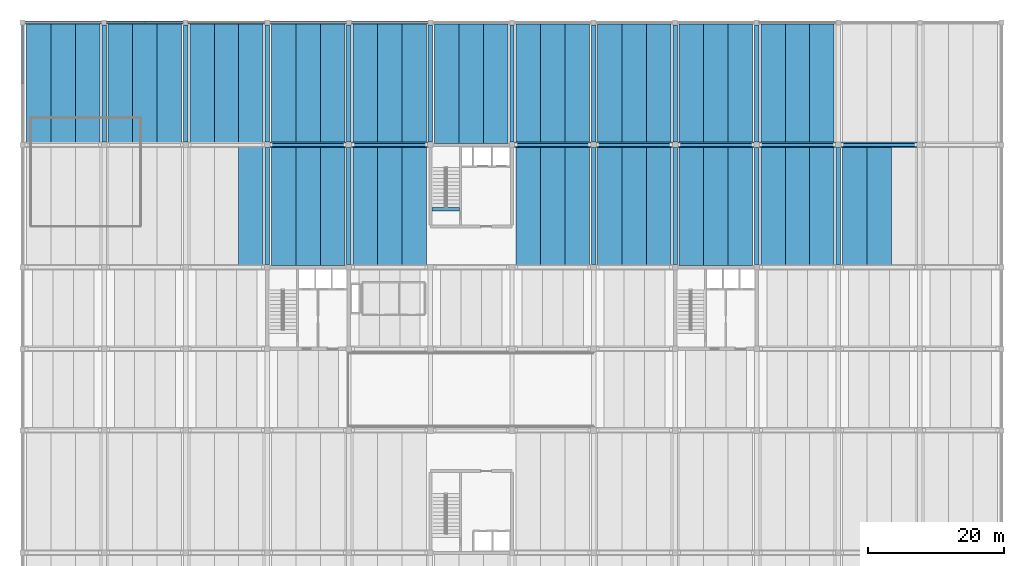
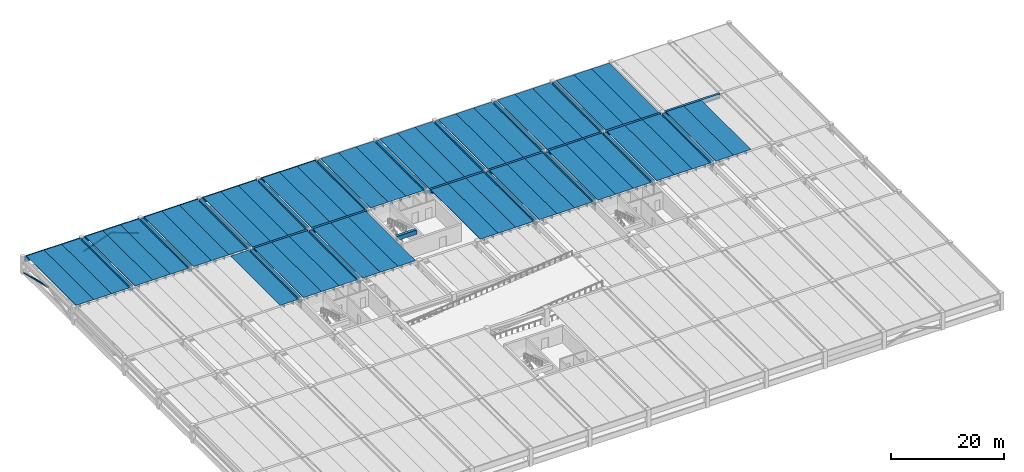
# One storey, part 4 of 14: 79 beams, 3 members.
"""IFC4 building model written with IfcOpenShell, lengths in metres."""

from ifc_helpers import new_model, si_unit, direction, frame, origin, origin_2d, place, context, subcontext, project, spatial, polyline, rectangle, hollow_rectangle, outline, extrude, material, material_profile, profile_set, type_object, element, save


model = new_model("IFC4")

# Units and contexts
model_context = context("Model", 3, precision=1e-05, world=origin(), true_north=direction((0.0, 1.0)))
body_context = subcontext(model_context, "Body", "Model", "MODEL_VIEW")
ifc_project = project(units=[si_unit("LENGTHUNIT", "METRE"), si_unit("AREAUNIT", "SQUARE_METRE"), si_unit("VOLUMEUNIT", "CUBIC_METRE"), si_unit("PLANEANGLEUNIT", "RADIAN"), si_unit("MASSUNIT", "GRAM", prefix="KILO")], contexts=[model_context])

# Site, building, storey
site_placement = place(None, origin())
site = spatial("IfcSite", under=ifc_project, at=site_placement, CompositionType="ELEMENT")
building_placement = place(site_placement, origin())
building = spatial("IfcBuilding", under=site, at=building_placement, Name="Girod Span Mobility Hub", CompositionType="ELEMENT")
storey_placement = place(building_placement, frame((0.0, 0.0, 24.800048828125)))
storey = spatial("IfcBuildingStorey", under=building, at=storey_placement, Name="L06", CompositionType="ELEMENT", Elevation=24.800048828125)

# Beams
ifc_material_1 = material(Name="Concrete C50/60", Category="concrete")
ifc_material_profile_1 = material_profile(ifc_material_1, outline(polyline([(-1.800048828125, 0.425048828125), (-1.800048828125, 0.324951171875), (-1.0, 0.324951171875), (-0.969970703125, -0.425048828125), (-0.830078125, -0.425048828125), (-0.800048828125, 0.324951171875), (0.800048828125, 0.324951171875), (0.830078125, -0.425048828125), (0.969970703125, -0.425048828125), (1.0, 0.324951171875), (1.800048828125, 0.324951171875), (1.800048828125, 0.425048828125), (-1.800048828125, 0.425048828125)])), Name="DT-3600X850")
ifc_profile_set_1 = profile_set([ifc_material_profile_1], Name="Concrete C50/60")
beam_type_1 = type_object("IfcBeamType", Name="BM-DT-3600X850", PredefinedType="JOIST", material=ifc_profile_set_1)
for number, where, z_axis, x_axis, name in (
    (1, (14.39990234375, 87.22705078125, 3.199951171875), (0.0, 1.0, 0.0), (-1.0, 0.0, 0.0), "Double-Tee Deck 2/G-1 L06"),
    (2, (18.0, 87.22705078125, 3.199951171875), (0.0, 1.0, 0.0), (-1.0, 0.0, 0.0), "Double-Tee Deck 2/G-2 L06"),
    (3, (21.60009765625, 87.22705078125, 3.199951171875), (0.0, 1.0, 0.0), (-1.0, 0.0, 0.0), "Double-Tee Deck 2/G-3 L06"),
    (4, (26.39990234375, 87.22705078125, 3.199951171875), (0.0, 1.0, 0.0), (-1.0, 0.0, 0.0), "Double-Tee Deck 3/G-1 L06"),
    (5, (30.0, 87.22705078125, 3.199951171875), (0.0, 1.0, 0.0), (-1.0, 0.0, 0.0), "Double-Tee Deck 3/G-2 L06"),
    (6, (33.60009765625, 87.22705078125, 3.199951171875), (0.0, 1.0, 0.0), (-1.0, 0.0, 0.0), "Double-Tee Deck 3/G-3 L06"),
):
    element("IfcBeam", number, at=place(storey_placement, frame(where, z_axis=z_axis, x_axis=x_axis)), inside=storey, type_object=beam_type_1, Name=name, PredefinedType="JOIST", context=body_context, shape_type="SweptSolid", body=[
        extrude(outline(polyline([(-1.800048828125, 0.425048828125), (-1.800048828125, 0.324951171875), (-1.0, 0.324951171875), (-0.969970703125, -0.425048828125), (-0.830078125, -0.425048828125), (-0.800048828125, 0.324951171875), (0.800048828125, 0.324951171875), (0.830078125, -0.425048828125), (0.969970703125, -0.425048828125), (1.0, 0.324951171875), (1.800048828125, 0.324951171875), (1.800048828125, 0.425048828125), (-1.800048828125, 0.425048828125)])), origin(), (0.0, 0.0, 1.0), 17.575927734375),
    ])
beam_1_placement = place(storey_placement, frame((45.60009765625, 69.22705078125, 3.199951171875), z_axis=(0.0, 1.0, 0.0), x_axis=(-1.0, 0.0, 0.0)))
element("IfcBeam", 7, at=beam_1_placement, inside=storey, type_object=beam_type_1, Name="Double-Tee Deck 4/F-3 L06", PredefinedType="JOIST", context=body_context, shape_type="SweptSolid", body=[
    extrude(outline(polyline([(-1.800048828125, 0.425048828125), (-1.800048828125, 0.324951171875), (-1.0, 0.324951171875), (-0.969970703125, -0.425048828125), (-0.830078125, -0.425048828125), (-0.800048828125, 0.324951171875), (0.800048828125, 0.324951171875), (0.830078125, -0.425048828125), (0.969970703125, -0.425048828125), (1.0, 0.324951171875), (1.800048828125, 0.324951171875), (1.800048828125, 0.425048828125), (-1.800048828125, 0.425048828125)])), origin(), (0.0, 0.0, 1.0), 17.5458984375),
])
for number, where, z_axis, x_axis, name in (
    (8, (38.39990234375, 87.22705078125, 3.199951171875), (0.0, 1.0, 0.0), (-1.0, 0.0, 0.0), "Double-Tee Deck 4/G-1 L06"),
    (9, (42.0, 87.22705078125, 3.199951171875), (0.0, 1.0, 0.0), (-1.0, 0.0, 0.0), "Double-Tee Deck 4/G-2 L06"),
    (10, (45.60009765625, 87.22705078125, 3.199951171875), (0.0, 1.0, 0.0), (-1.0, 0.0, 0.0), "Double-Tee Deck 4/G-3 L06"),
):
    element("IfcBeam", number, at=place(storey_placement, frame(where, z_axis=z_axis, x_axis=x_axis)), inside=storey, type_object=beam_type_1, Name=name, PredefinedType="JOIST", context=body_context, shape_type="SweptSolid", body=[
        extrude(outline(polyline([(-1.800048828125, 0.425048828125), (-1.800048828125, 0.324951171875), (-1.0, 0.324951171875), (-0.969970703125, -0.425048828125), (-0.830078125, -0.425048828125), (-0.800048828125, 0.324951171875), (0.800048828125, 0.324951171875), (0.830078125, -0.425048828125), (0.969970703125, -0.425048828125), (1.0, 0.324951171875), (1.800048828125, 0.324951171875), (1.800048828125, 0.425048828125), (-1.800048828125, 0.425048828125)])), origin(), (0.0, 0.0, 1.0), 17.575927734375),
    ])
for number, where, z_axis, x_axis, name in (
    (11, (50.39990234375, 69.2470703125, 3.199951171875), (0.0, 1.0, 0.0), (-1.0, 0.0, 0.0), "Double-Tee Deck 5/F-1 L06"),
    (12, (54.0, 69.2470703125, 3.199951171875), (0.0, 1.0, 0.0), (-1.0, 0.0, 0.0), "Double-Tee Deck 5/F-2 L06"),
    (13, (57.60009765625, 69.2470703125, 3.199951171875), (0.0, 1.0, 0.0), (-1.0, 0.0, 0.0), "Double-Tee Deck 5/F-3 L06"),
):
    element("IfcBeam", number, at=place(storey_placement, frame(where, z_axis=z_axis, x_axis=x_axis)), inside=storey, type_object=beam_type_1, Name=name, PredefinedType="JOIST", context=body_context, shape_type="SweptSolid", body=[
        extrude(outline(polyline([(-1.800048828125, 0.425048828125), (-1.800048828125, 0.324951171875), (-1.0, 0.324951171875), (-0.969970703125, -0.425048828125), (-0.830078125, -0.425048828125), (-0.800048828125, 0.324951171875), (0.800048828125, 0.324951171875), (0.830078125, -0.425048828125), (0.969970703125, -0.425048828125), (1.0, 0.324951171875), (1.800048828125, 0.324951171875), (1.800048828125, 0.425048828125), (-1.800048828125, 0.425048828125)])), origin(), (0.0, 0.0, 1.0), 17.52587890625),
    ])
for number, where, z_axis, x_axis, name in (
    (14, (50.39990234375, 87.22705078125, 3.199951171875), (0.0, 1.0, 0.0), (-1.0, 0.0, 0.0), "Double-Tee Deck 5/G-1 L06"),
    (15, (54.0, 87.22705078125, 3.199951171875), (0.0, 1.0, 0.0), (-1.0, 0.0, 0.0), "Double-Tee Deck 5/G-2 L06"),
    (16, (57.60009765625, 87.22705078125, 3.199951171875), (0.0, 1.0, 0.0), (-1.0, 0.0, 0.0), "Double-Tee Deck 5/G-3 L06"),
):
    element("IfcBeam", number, at=place(storey_placement, frame(where, z_axis=z_axis, x_axis=x_axis)), inside=storey, type_object=beam_type_1, Name=name, PredefinedType="JOIST", context=body_context, shape_type="SweptSolid", body=[
        extrude(outline(polyline([(-1.800048828125, 0.425048828125), (-1.800048828125, 0.324951171875), (-1.0, 0.324951171875), (-0.969970703125, -0.425048828125), (-0.830078125, -0.425048828125), (-0.800048828125, 0.324951171875), (0.800048828125, 0.324951171875), (0.830078125, -0.425048828125), (0.969970703125, -0.425048828125), (1.0, 0.324951171875), (1.800048828125, 0.324951171875), (1.800048828125, 0.425048828125), (-1.800048828125, 0.425048828125)])), origin(), (0.0, 0.0, 1.0), 17.575927734375),
    ])
for number, where, z_axis, x_axis, name in (
    (17, (62.39990234375, 69.22705078125, 3.199951171875), (0.0, 1.0, 0.0), (-1.0, 0.0, 0.0), "Double-Tee Deck 6/F-1 L06"),
    (18, (66.0, 69.22705078125, 3.199951171875), (0.0, 1.0, 0.0), (-1.0, 0.0, 0.0), "Double-Tee Deck 6/F-2 L06"),
    (19, (69.60009765625, 69.22705078125, 3.199951171875), (0.0, 1.0, 0.0), (-1.0, 0.0, 0.0), "Double-Tee Deck 6/F-3 L06"),
):
    element("IfcBeam", number, at=place(storey_placement, frame(where, z_axis=z_axis, x_axis=x_axis)), inside=storey, type_object=beam_type_1, Name=name, PredefinedType="JOIST", context=body_context, shape_type="SweptSolid", body=[
        extrude(outline(polyline([(-1.800048828125, 0.425048828125), (-1.800048828125, 0.324951171875), (-1.0, 0.324951171875), (-0.969970703125, -0.425048828125), (-0.830078125, -0.425048828125), (-0.800048828125, 0.324951171875), (0.800048828125, 0.324951171875), (0.830078125, -0.425048828125), (0.969970703125, -0.425048828125), (1.0, 0.324951171875), (1.800048828125, 0.324951171875), (1.800048828125, 0.425048828125), (-1.800048828125, 0.425048828125)])), origin(), (0.0, 0.0, 1.0), 17.5458984375),
    ])
for number, where, z_axis, x_axis, name in (
    (20, (62.39990234375, 87.22705078125, 3.199951171875), (0.0, 1.0, 0.0), (-1.0, 0.0, 0.0), "Double-Tee Deck 6/G-1 L06"),
    (21, (66.0, 87.22705078125, 3.199951171875), (0.0, 1.0, 0.0), (-1.0, 0.0, 0.0), "Double-Tee Deck 6/G-2 L06"),
    (22, (69.60009765625, 87.22705078125, 3.199951171875), (0.0, 1.0, 0.0), (-1.0, 0.0, 0.0), "Double-Tee Deck 6/G-3 L06"),
):
    element("IfcBeam", number, at=place(storey_placement, frame(where, z_axis=z_axis, x_axis=x_axis)), inside=storey, type_object=beam_type_1, Name=name, PredefinedType="JOIST", context=body_context, shape_type="SweptSolid", body=[
        extrude(outline(polyline([(-1.800048828125, 0.425048828125), (-1.800048828125, 0.324951171875), (-1.0, 0.324951171875), (-0.969970703125, -0.425048828125), (-0.830078125, -0.425048828125), (-0.800048828125, 0.324951171875), (0.800048828125, 0.324951171875), (0.830078125, -0.425048828125), (0.969970703125, -0.425048828125), (1.0, 0.324951171875), (1.800048828125, 0.324951171875), (1.800048828125, 0.425048828125), (-1.800048828125, 0.425048828125)])), origin(), (0.0, 0.0, 1.0), 17.575927734375),
    ])
for number, where, z_axis, x_axis, name in (
    (23, (74.39990234375, 87.221923828125, 3.199951171875), (0.0, 1.0, 0.0), (-1.0, 0.0, 0.0), "Double-Tee Deck 7/G-1 L06"),
    (24, (78.0, 87.221923828125, 3.199951171875), (0.0, 1.0, 0.0), (-1.0, 0.0, 0.0), "Double-Tee Deck 7/G-2 L06"),
    (25, (81.60009765625, 87.221923828125, 3.199951171875), (0.0, 1.0, 0.0), (-1.0, 0.0, 0.0), "Double-Tee Deck 7/G-3 L06"),
):
    element("IfcBeam", number, at=place(storey_placement, frame(where, z_axis=z_axis, x_axis=x_axis)), inside=storey, type_object=beam_type_1, Name=name, PredefinedType="JOIST", context=body_context, shape_type="SweptSolid", body=[
        extrude(outline(polyline([(-1.800048828125, 0.425048828125), (-1.800048828125, 0.324951171875), (-1.0, 0.324951171875), (-0.969970703125, -0.425048828125), (-0.830078125, -0.425048828125), (-0.800048828125, 0.324951171875), (0.800048828125, 0.324951171875), (0.830078125, -0.425048828125), (0.969970703125, -0.425048828125), (1.0, 0.324951171875), (1.800048828125, 0.324951171875), (1.800048828125, 0.425048828125), (-1.800048828125, 0.425048828125)])), origin(), (0.0, 0.0, 1.0), 17.5810546875),
    ])
for number, where, z_axis, x_axis, name in (
    (26, (86.39990234375, 69.22705078125, 3.199951171875), (0.0, 1.0, 0.0), (-1.0, 0.0, 0.0), "Double-Tee Deck 8/F-1 L06"),
    (27, (90.0, 69.22705078125, 3.199951171875), (0.0, 1.0, 0.0), (-1.0, 0.0, 0.0), "Double-Tee Deck 8/F-2 L06"),
    (28, (93.60009765625, 69.22705078125, 3.199951171875), (0.0, 1.0, 0.0), (-1.0, 0.0, 0.0), "Double-Tee Deck 8/F-3 L06"),
):
    element("IfcBeam", number, at=place(storey_placement, frame(where, z_axis=z_axis, x_axis=x_axis)), inside=storey, type_object=beam_type_1, Name=name, PredefinedType="JOIST", context=body_context, shape_type="SweptSolid", body=[
        extrude(outline(polyline([(-1.800048828125, 0.425048828125), (-1.800048828125, 0.324951171875), (-1.0, 0.324951171875), (-0.969970703125, -0.425048828125), (-0.830078125, -0.425048828125), (-0.800048828125, 0.324951171875), (0.800048828125, 0.324951171875), (0.830078125, -0.425048828125), (0.969970703125, -0.425048828125), (1.0, 0.324951171875), (1.800048828125, 0.324951171875), (1.800048828125, 0.425048828125), (-1.800048828125, 0.425048828125)])), origin(), (0.0, 0.0, 1.0), 17.5458984375),
    ])
for number, where, z_axis, x_axis, name in (
    (29, (86.39990234375, 87.22705078125, 3.199951171875), (0.0, 1.0, 0.0), (-1.0, 0.0, 0.0), "Double-Tee Deck 8/G-1 L06"),
    (30, (90.0, 87.22705078125, 3.199951171875), (0.0, 1.0, 0.0), (-1.0, 0.0, 0.0), "Double-Tee Deck 8/G-2 L06"),
    (31, (93.60009765625, 87.22705078125, 3.199951171875), (0.0, 1.0, 0.0), (-1.0, 0.0, 0.0), "Double-Tee Deck 8/G-3 L06"),
):
    element("IfcBeam", number, at=place(storey_placement, frame(where, z_axis=z_axis, x_axis=x_axis)), inside=storey, type_object=beam_type_1, Name=name, PredefinedType="JOIST", context=body_context, shape_type="SweptSolid", body=[
        extrude(outline(polyline([(-1.800048828125, 0.425048828125), (-1.800048828125, 0.324951171875), (-1.0, 0.324951171875), (-0.969970703125, -0.425048828125), (-0.830078125, -0.425048828125), (-0.800048828125, 0.324951171875), (0.800048828125, 0.324951171875), (0.830078125, -0.425048828125), (0.969970703125, -0.425048828125), (1.0, 0.324951171875), (1.800048828125, 0.324951171875), (1.800048828125, 0.425048828125), (-1.800048828125, 0.425048828125)])), origin(), (0.0, 0.0, 1.0), 17.575927734375),
    ])
for number, where, z_axis, x_axis, name in (
    (32, (98.39990234375, 69.22705078125, 3.199951171875), (0.0, 1.0, 0.0), (-1.0, 0.0, 0.0), "Double-Tee Deck 9/F-1 L06"),
    (33, (102.0, 69.22705078125, 3.199951171875), (0.0, 1.0, 0.0), (-1.0, 0.0, 0.0), "Double-Tee Deck 9/F-2 L06"),
    (34, (105.60009765625, 69.22705078125, 3.199951171875), (0.0, 1.0, 0.0), (-1.0, 0.0, 0.0), "Double-Tee Deck 9/F-3 L06"),
):
    element("IfcBeam", number, at=place(storey_placement, frame(where, z_axis=z_axis, x_axis=x_axis)), inside=storey, type_object=beam_type_1, Name=name, PredefinedType="JOIST", context=body_context, shape_type="SweptSolid", body=[
        extrude(outline(polyline([(-1.800048828125, 0.425048828125), (-1.800048828125, 0.324951171875), (-1.0, 0.324951171875), (-0.969970703125, -0.425048828125), (-0.830078125, -0.425048828125), (-0.800048828125, 0.324951171875), (0.800048828125, 0.324951171875), (0.830078125, -0.425048828125), (0.969970703125, -0.425048828125), (1.0, 0.324951171875), (1.800048828125, 0.324951171875), (1.800048828125, 0.425048828125), (-1.800048828125, 0.425048828125)])), origin(), (0.0, 0.0, 1.0), 17.5458984375),
    ])
for number, where, z_axis, x_axis, name in (
    (35, (98.39990234375, 87.22705078125, 3.199951171875), (0.0, 1.0, 0.0), (-1.0, 0.0, 0.0), "Double-Tee Deck 9/G-1 L06"),
    (36, (102.0, 87.22705078125, 3.199951171875), (0.0, 1.0, 0.0), (-1.0, 0.0, 0.0), "Double-Tee Deck 9/G-2 L06"),
    (37, (105.60009765625, 87.22705078125, 3.199951171875), (0.0, 1.0, 0.0), (-1.0, 0.0, 0.0), "Double-Tee Deck 9/G-3 L06"),
):
    element("IfcBeam", number, at=place(storey_placement, frame(where, z_axis=z_axis, x_axis=x_axis)), inside=storey, type_object=beam_type_1, Name=name, PredefinedType="JOIST", context=body_context, shape_type="SweptSolid", body=[
        extrude(outline(polyline([(-1.800048828125, 0.425048828125), (-1.800048828125, 0.324951171875), (-1.0, 0.324951171875), (-0.969970703125, -0.425048828125), (-0.830078125, -0.425048828125), (-0.800048828125, 0.324951171875), (0.800048828125, 0.324951171875), (0.830078125, -0.425048828125), (0.969970703125, -0.425048828125), (1.0, 0.324951171875), (1.800048828125, 0.324951171875), (1.800048828125, 0.425048828125), (-1.800048828125, 0.425048828125)])), origin(), (0.0, 0.0, 1.0), 17.575927734375),
    ])
for number, where, z_axis, x_axis, name in (
    (38, (110.39990234375, 69.2470703125, 3.199951171875), (0.0, 1.0, 0.0), (-1.0, 0.0, 0.0), "Double-Tee Deck 10/F-1 L06"),
    (39, (114.0, 69.2470703125, 3.199951171875), (0.0, 1.0, 0.0), (-1.0, 0.0, 0.0), "Double-Tee Deck 10/F-2 L06"),
    (40, (117.60009765625, 69.2470703125, 3.199951171875), (0.0, 1.0, 0.0), (-1.0, 0.0, 0.0), "Double-Tee Deck 10/F-3 L06"),
):
    element("IfcBeam", number, at=place(storey_placement, frame(where, z_axis=z_axis, x_axis=x_axis)), inside=storey, type_object=beam_type_1, Name=name, PredefinedType="JOIST", context=body_context, shape_type="SweptSolid", body=[
        extrude(outline(polyline([(-1.800048828125, 0.425048828125), (-1.800048828125, 0.324951171875), (-1.0, 0.324951171875), (-0.969970703125, -0.425048828125), (-0.830078125, -0.425048828125), (-0.800048828125, 0.324951171875), (0.800048828125, 0.324951171875), (0.830078125, -0.425048828125), (0.969970703125, -0.425048828125), (1.0, 0.324951171875), (1.800048828125, 0.324951171875), (1.800048828125, 0.425048828125), (-1.800048828125, 0.425048828125)])), origin(), (0.0, 0.0, 1.0), 17.52587890625),
    ])
for number, where, z_axis, x_axis, name in (
    (41, (110.39990234375, 87.22705078125, 3.199951171875), (0.0, 1.0, 0.0), (-1.0, 0.0, 0.0), "Double-Tee Deck 10/G-1 L06"),
    (42, (114.0, 87.22705078125, 3.199951171875), (0.0, 1.0, 0.0), (-1.0, 0.0, 0.0), "Double-Tee Deck 10/G-2 L06"),
    (43, (117.60009765625, 87.22705078125, 3.199951171875), (0.0, 1.0, 0.0), (-1.0, 0.0, 0.0), "Double-Tee Deck 10/G-3 L06"),
):
    element("IfcBeam", number, at=place(storey_placement, frame(where, z_axis=z_axis, x_axis=x_axis)), inside=storey, type_object=beam_type_1, Name=name, PredefinedType="JOIST", context=body_context, shape_type="SweptSolid", body=[
        extrude(outline(polyline([(-1.800048828125, 0.425048828125), (-1.800048828125, 0.324951171875), (-1.0, 0.324951171875), (-0.969970703125, -0.425048828125), (-0.830078125, -0.425048828125), (-0.800048828125, 0.324951171875), (0.800048828125, 0.324951171875), (0.830078125, -0.425048828125), (0.969970703125, -0.425048828125), (1.0, 0.324951171875), (1.800048828125, 0.324951171875), (1.800048828125, 0.425048828125), (-1.800048828125, 0.425048828125)])), origin(), (0.0, 0.0, 1.0), 17.575927734375),
    ])
for number, where, z_axis, x_axis, name in (
    (44, (122.39990234375, 69.22705078125, 3.199951171875), (0.0, 1.0, 0.0), (-1.0, 0.0, 0.0), "Double-Tee Deck 11/F-1 L06"),
    (45, (126.0, 69.22705078125, 3.199951171875), (0.0, 1.0, 0.0), (-1.0, 0.0, 0.0), "Double-Tee Deck 11/F-2 L06"),
    (46, (129.60009765625, 69.22705078125, 3.199951171875), (0.0, 1.0, 0.0), (-1.0, 0.0, 0.0), "Double-Tee Deck 11/F-3 L06"),
):
    element("IfcBeam", number, at=place(storey_placement, frame(where, z_axis=z_axis, x_axis=x_axis)), inside=storey, type_object=beam_type_1, Name=name, PredefinedType="JOIST", context=body_context, shape_type="SweptSolid", body=[
        extrude(outline(polyline([(-1.800048828125, 0.425048828125), (-1.800048828125, 0.324951171875), (-1.0, 0.324951171875), (-0.969970703125, -0.425048828125), (-0.830078125, -0.425048828125), (-0.800048828125, 0.324951171875), (0.800048828125, 0.324951171875), (0.830078125, -0.425048828125), (0.969970703125, -0.425048828125), (1.0, 0.324951171875), (1.800048828125, 0.324951171875), (1.800048828125, 0.425048828125), (-1.800048828125, 0.425048828125)])), origin(), (0.0, 0.0, 1.0), 17.5458984375),
    ])
for number, where, z_axis, x_axis, name in (
    (47, (122.39990234375, 87.22705078125, 3.199951171875), (0.0, 1.0, 0.0), (-1.0, 0.0, 0.0), "Double-Tee Deck 11/G-1 L06"),
    (48, (126.0, 87.22705078125, 3.199951171875), (0.0, 1.0, 0.0), (-1.0, 0.0, 0.0), "Double-Tee Deck 11/G-2 L06"),
    (49, (129.60009765625, 87.22705078125, 3.199951171875), (0.0, 1.0, 0.0), (-1.0, 0.0, 0.0), "Double-Tee Deck 11/G-3 L06"),
):
    element("IfcBeam", number, at=place(storey_placement, frame(where, z_axis=z_axis, x_axis=x_axis)), inside=storey, type_object=beam_type_1, Name=name, PredefinedType="JOIST", context=body_context, shape_type="SweptSolid", body=[
        extrude(outline(polyline([(-1.800048828125, 0.425048828125), (-1.800048828125, 0.324951171875), (-1.0, 0.324951171875), (-0.969970703125, -0.425048828125), (-0.830078125, -0.425048828125), (-0.800048828125, 0.324951171875), (0.800048828125, 0.324951171875), (0.830078125, -0.425048828125), (0.969970703125, -0.425048828125), (1.0, 0.324951171875), (1.800048828125, 0.324951171875), (1.800048828125, 0.425048828125), (-1.800048828125, 0.425048828125)])), origin(), (0.0, 0.0, 1.0), 17.575927734375),
    ])
for number, where, z_axis, x_axis, name in (
    (50, (134.39990234375, 69.22705078125, 3.199951171875), (0.0, 1.0, 0.0), (-1.0, 0.0, 0.0), "Double-Tee Deck 12/F-1 L06"),
    (51, (138.0, 69.22705078125, 3.199951171875), (0.0, 1.0, 0.0), (-1.0, 0.0, 0.0), "Double-Tee Deck 12/F-2 L06"),
):
    element("IfcBeam", number, at=place(storey_placement, frame(where, z_axis=z_axis, x_axis=x_axis)), inside=storey, type_object=beam_type_1, Name=name, PredefinedType="JOIST", context=body_context, shape_type="SweptSolid", body=[
        extrude(outline(polyline([(-1.800048828125, 0.425048828125), (-1.800048828125, 0.324951171875), (-1.0, 0.324951171875), (-0.969970703125, -0.425048828125), (-0.830078125, -0.425048828125), (-0.800048828125, 0.324951171875), (0.800048828125, 0.324951171875), (0.830078125, -0.425048828125), (0.969970703125, -0.425048828125), (1.0, 0.324951171875), (1.800048828125, 0.324951171875), (1.800048828125, 0.425048828125), (-1.800048828125, 0.425048828125)])), origin(), (0.0, 0.0, 1.0), 17.5458984375),
    ])
ifc_material_2 = material(Name="Concrete C50/60", Category="concrete")
ifc_material_profile_2 = material_profile(ifc_material_2, outline(polyline([(-0.39990234375, -0.449951171875), (0.39990234375, -0.449951171875), (0.39990234375, -0.14990234375), (0.22998046875, -0.14990234375), (0.22998046875, 0.449951171875), (-0.22998046875, 0.449951171875), (-0.22998046875, -0.14990234375), (-0.39990234375, -0.14990234375), (-0.39990234375, -0.449951171875)])), Name="IT-800X900")
ifc_profile_set_2 = profile_set([ifc_material_profile_2], Name="Concrete C50/60")
beam_type_2 = type_object("IfcBeamType", Name="BM-IT-800X900", PredefinedType="T_BEAM", material=ifc_profile_set_2)
for number, where, z_axis, x_axis, name in (
    (52, (48.39697265625, 87.0, 3.175048828125), (1.0, 0.0, 0.0), (0.0, 1.0, 0.0), "Girder 5-6/G L06"),
    (53, (60.39697265625, 87.0, 3.175048828125), (1.0, 0.0, 0.0), (0.0, 1.0, 0.0), "Girder 6-7/G L06"),
    (54, (84.39697265625, 87.0, 3.175048828125), (1.0, 0.0, 0.0), (0.0, 1.0, 0.0), "Girder 8-9/G L06"),
    (55, (96.39697265625, 87.0, 3.175048828125), (1.0, 0.0, 0.0), (0.0, 1.0, 0.0), "Girder 9-10/G L06"),
    (56, (108.39697265625, 87.0, 3.175048828125), (1.0, 0.0, 0.0), (0.0, 1.0, 0.0), "Girder 10-11/G L06"),
    (57, (120.39697265625, 87.0, 3.175048828125), (1.0, 0.0, 0.0), (0.0, 1.0, 0.0), "Girder 11-12/G L06"),
    (58, (132.39697265625, 87.0, 3.175048828125), (1.0, 0.0, 0.0), (0.0, 1.0, 0.0), "Girder 12-13/G L06"),
):
    element("IfcBeam", number, at=place(storey_placement, frame(where, z_axis=z_axis, x_axis=x_axis)), inside=storey, type_object=beam_type_2, Name=name, PredefinedType="T_BEAM", context=body_context, shape_type="SweptSolid", body=[
        extrude(outline(polyline([(-0.39990234375, -0.449951171875), (0.39990234375, -0.449951171875), (0.39990234375, -0.14990234375), (0.22998046875, -0.14990234375), (0.22998046875, 0.449951171875), (-0.22998046875, 0.449951171875), (-0.22998046875, -0.14990234375), (-0.39990234375, -0.14990234375), (-0.39990234375, -0.449951171875)])), origin(), (0.0, 0.0, 1.0), 11.2060546875),
    ])
ifc_material_3 = material(Name="Concrete C40/50", Category="concrete")
ifc_material_profile_3 = material_profile(ifc_material_3, rectangle(XDim=0.550048828125, YDim=0.949951171875, at=origin_2d()), Name="RK-550X950")
ifc_profile_set_3 = profile_set([ifc_material_profile_3], Name="Concrete C40/50")
beam_type_3 = type_object("IfcBeamType", Name="BM-RK-550X950", PredefinedType="BEAM", material=ifc_profile_set_3)
beam_2_placement = place(storey_placement, frame((72.221923828125, 77.550048828125, 3.14990234375), z_axis=(1.0, 0.0, 0.0), x_axis=(0.0, 1.0, 0.0)))
element("IfcBeam", 59, at=beam_2_placement, inside=storey, type_object=beam_type_3, Name="Stair ST-4 Landing Header Beam L06", PredefinedType="BEAM", context=body_context, shape_type="SweptSolid", body=[
    extrude(rectangle(XDim=0.550048828125, YDim=0.949951171875, at=origin_2d()), origin(), (0.0, 0.0, 1.0), 4.0810546875),
])
ifc_material_4 = material(Name="Concrete C40/50", Category="concrete")
ifc_material_profile_4 = material_profile(ifc_material_4, outline(polyline([(-0.199951171875, -0.625), (0.199951171875, -0.625), (0.199951171875, -0.304931640625), (0.02001953125, -0.304931640625), (0.02001953125, 0.625), (-0.199951171875, 0.625), (-0.199951171875, -0.625)])), Name="SP-400X1250")
ifc_profile_set_4 = profile_set([ifc_material_profile_4], Name="Concrete C40/50")
beam_type_4 = type_object("IfcBeamType", Name="BM-SP-400X1250", PredefinedType="SPANDREL", material=ifc_profile_set_4)
for number, where, z_axis, x_axis, name in (
    (60, (12.3720703125, 105.0, 3.0), (1.0, 0.0, 0.0), (0.0, 1.0, 0.0), "Girder 2-3/H L06"),
    (61, (24.3720703125, 105.0, 3.0), (1.0, 0.0, 0.0), (0.0, 1.0, 0.0), "Girder 3-4/H L06"),
    (62, (36.3720703125, 105.0, 3.0), (1.0, 0.0, 0.0), (0.0, 1.0, 0.0), "Girder 4-5/H L06"),
    (63, (48.3720703125, 105.0, 3.0), (1.0, 0.0, 0.0), (0.0, 1.0, 0.0), "Girder 5-6/H L06"),
    (64, (60.3720703125, 105.0, 3.0), (1.0, 0.0, 0.0), (0.0, 1.0, 0.0), "Girder 6-7/H L06"),
):
    element("IfcBeam", number, at=place(storey_placement, frame(where, z_axis=z_axis, x_axis=x_axis)), inside=storey, type_object=beam_type_4, Name=name, PredefinedType="SPANDREL", context=body_context, shape_type="SweptSolid", body=[
        extrude(outline(polyline([(-0.199951171875, -0.625), (0.199951171875, -0.625), (0.199951171875, -0.304931640625), (0.02001953125, -0.304931640625), (0.02001953125, 0.625), (-0.199951171875, 0.625), (-0.199951171875, -0.625)])), origin(), (0.0, 0.0, 1.0), 11.255859375),
    ])
ifc_material_5 = material(Name="Concrete C40/50", Category="concrete")
ifc_material_profile_5 = material_profile(ifc_material_5, rectangle(XDim=0.64990234375, YDim=1.0, at=origin_2d()), Name="TG-650X1000")
ifc_profile_set_5 = profile_set([ifc_material_profile_5], Name="Concrete C40/50")
beam_type_5 = type_object("IfcBeamType", Name="BM-TG-650X1000", PredefinedType="T_BEAM", material=ifc_profile_set_5)
for number, where, z_axis, x_axis, name in (
    (65, (24.0, 87.39697265625, 3.125), (0.0, 1.0, 0.0), (-1.0, 0.0, 0.0), "Tie Girder 3/G-H L06"),
    (66, (36.0, 87.39697265625, 3.125), (0.0, 1.0, 0.0), (-1.0, 0.0, 0.0), "Tie Girder 4/G-H L06"),
):
    element("IfcBeam", number, at=place(storey_placement, frame(where, z_axis=z_axis, x_axis=x_axis)), inside=storey, type_object=beam_type_5, Name=name, PredefinedType="T_BEAM", context=body_context, shape_type="SweptSolid", body=[
        extrude(rectangle(XDim=0.64990234375, YDim=1.0, at=origin_2d()), origin(), (0.0, 0.0, 1.0), 17.23095703125),
    ])
beam_3_placement = place(storey_placement, frame((48.0, 69.422119140625, 3.125), z_axis=(0.0, 1.0, 0.0), x_axis=(-1.0, 0.0, 0.0)))
element("IfcBeam", 67, at=beam_3_placement, inside=storey, type_object=beam_type_5, Name="Tie Girder 5/F-G L06", PredefinedType="T_BEAM", context=body_context, shape_type="SweptSolid", body=[
    extrude(rectangle(XDim=0.64990234375, YDim=1.0, at=origin_2d()), origin(), (0.0, 0.0, 1.0), 17.180908203125),
])
beam_4_placement = place(storey_placement, frame((48.0, 87.39697265625, 3.125), z_axis=(0.0, 1.0, 0.0), x_axis=(-1.0, 0.0, 0.0)))
element("IfcBeam", 68, at=beam_4_placement, inside=storey, type_object=beam_type_5, Name="Tie Girder 5/G-H L06", PredefinedType="T_BEAM", context=body_context, shape_type="SweptSolid", body=[
    extrude(rectangle(XDim=0.64990234375, YDim=1.0, at=origin_2d()), origin(), (0.0, 0.0, 1.0), 17.23095703125),
])
beam_5_placement = place(storey_placement, frame((60.0, 69.422119140625, 3.125), z_axis=(0.0, 1.0, 0.0), x_axis=(-1.0, 0.0, 0.0)))
element("IfcBeam", 69, at=beam_5_placement, inside=storey, type_object=beam_type_5, Name="Tie Girder 6/F-G L06", PredefinedType="T_BEAM", context=body_context, shape_type="SweptSolid", body=[
    extrude(rectangle(XDim=0.64990234375, YDim=1.0, at=origin_2d()), origin(), (0.0, 0.0, 1.0), 17.180908203125),
])
for number, where, z_axis, x_axis, name in (
    (70, (60.0, 87.39697265625, 3.125), (0.0, 1.0, 0.0), (-1.0, 0.0, 0.0), "Tie Girder 6/G-H L06"),
    (71, (72.0, 87.39697265625, 3.125), (0.0, 1.0, 0.0), (-1.0, 0.0, 0.0), "Tie Girder 7/G-H L06"),
    (72, (84.0, 87.39697265625, 3.125), (0.0, 1.0, 0.0), (-1.0, 0.0, 0.0), "Tie Girder 8/G-H L06"),
):
    element("IfcBeam", number, at=place(storey_placement, frame(where, z_axis=z_axis, x_axis=x_axis)), inside=storey, type_object=beam_type_5, Name=name, PredefinedType="T_BEAM", context=body_context, shape_type="SweptSolid", body=[
        extrude(rectangle(XDim=0.64990234375, YDim=1.0, at=origin_2d()), origin(), (0.0, 0.0, 1.0), 17.23095703125),
    ])
beam_6_placement = place(storey_placement, frame((96.0, 69.422119140625, 3.125), z_axis=(0.0, 1.0, 0.0), x_axis=(-1.0, 0.0, 0.0)))
element("IfcBeam", 73, at=beam_6_placement, inside=storey, type_object=beam_type_5, Name="Tie Girder 9/F-G L06", PredefinedType="T_BEAM", context=body_context, shape_type="SweptSolid", body=[
    extrude(rectangle(XDim=0.64990234375, YDim=1.0, at=origin_2d()), origin(), (0.0, 0.0, 1.0), 17.180908203125),
])
beam_7_placement = place(storey_placement, frame((96.0, 87.39697265625, 3.125), z_axis=(0.0, 1.0, 0.0), x_axis=(-1.0, 0.0, 0.0)))
element("IfcBeam", 74, at=beam_7_placement, inside=storey, type_object=beam_type_5, Name="Tie Girder 9/G-H L06", PredefinedType="T_BEAM", context=body_context, shape_type="SweptSolid", body=[
    extrude(rectangle(XDim=0.64990234375, YDim=1.0, at=origin_2d()), origin(), (0.0, 0.0, 1.0), 17.23095703125),
])
beam_8_placement = place(storey_placement, frame((108.0, 69.422119140625, 3.125), z_axis=(0.0, 1.0, 0.0), x_axis=(-1.0, 0.0, 0.0)))
element("IfcBeam", 75, at=beam_8_placement, inside=storey, type_object=beam_type_5, Name="Tie Girder 10/F-G L06", PredefinedType="T_BEAM", context=body_context, shape_type="SweptSolid", body=[
    extrude(rectangle(XDim=0.64990234375, YDim=1.0, at=origin_2d()), origin(), (0.0, 0.0, 1.0), 17.180908203125),
])
beam_9_placement = place(storey_placement, frame((108.0, 87.39697265625, 3.125), z_axis=(0.0, 1.0, 0.0), x_axis=(-1.0, 0.0, 0.0)))
element("IfcBeam", 76, at=beam_9_placement, inside=storey, type_object=beam_type_5, Name="Tie Girder 10/G-H L06", PredefinedType="T_BEAM", context=body_context, shape_type="SweptSolid", body=[
    extrude(rectangle(XDim=0.64990234375, YDim=1.0, at=origin_2d()), origin(), (0.0, 0.0, 1.0), 17.23095703125),
])
beam_10_placement = place(storey_placement, frame((120.0, 69.422119140625, 3.125), z_axis=(0.0, 1.0, 0.0), x_axis=(-1.0, 0.0, 0.0)))
element("IfcBeam", 77, at=beam_10_placement, inside=storey, type_object=beam_type_5, Name="Tie Girder 11/F-G L06", PredefinedType="T_BEAM", context=body_context, shape_type="SweptSolid", body=[
    extrude(rectangle(XDim=0.64990234375, YDim=1.0, at=origin_2d()), origin(), (0.0, 0.0, 1.0), 17.180908203125),
])
beam_11_placement = place(storey_placement, frame((120.0, 87.39697265625, 3.125), z_axis=(0.0, 1.0, 0.0), x_axis=(-1.0, 0.0, 0.0)))
element("IfcBeam", 78, at=beam_11_placement, inside=storey, type_object=beam_type_5, Name="Tie Girder 11/G-H L06", PredefinedType="T_BEAM", context=body_context, shape_type="SweptSolid", body=[
    extrude(rectangle(XDim=0.64990234375, YDim=1.0, at=origin_2d()), origin(), (0.0, 0.0, 1.0), 17.23095703125),
])
beam_12_placement = place(storey_placement, frame((132.0, 69.39697265625, 3.125), z_axis=(0.0, 1.0, 0.0), x_axis=(-1.0, 0.0, 0.0)))
element("IfcBeam", 79, at=beam_12_placement, inside=storey, type_object=beam_type_5, Name="Tie Girder 12/F-G L06", PredefinedType="T_BEAM", context=body_context, shape_type="SweptSolid", body=[
    extrude(rectangle(XDim=0.64990234375, YDim=1.0, at=origin_2d()), origin(), (0.0, 0.0, 1.0), 17.2060546875),
])

# Members
ifc_material_6 = material(Name="Steel HSS A500 Grade C", Category="steel")
ifc_material_profile_6 = material_profile(ifc_material_6, hollow_rectangle(XDim=0.25390625, YDim=0.25390625, WallThickness=0.01171875, InnerFilletRadius=0.01171875, OuterFilletRadius=0.023681640625, at=origin_2d()), Name="HSS254X254X12.7")
ifc_profile_set_6 = profile_set([ifc_material_profile_6], Name="Steel HSS A500 Grade C")
member_type = type_object("IfcMemberType", Name="MB-BR-HSS254", PredefinedType="BRACE", material=ifc_profile_set_6)
for number, where, z_axis, x_axis, name in (
    (80, (24.35498046875, 105.0, 0.349853515625), (0.93697705692, 0.0, 0.349390891132), (0.0, 1.0, 0.0), "Perimeter Chevron Brace 3/H-L L06"),
    (81, (35.64501953125, 105.0, 0.349853515625), (-0.93697705692, 0.0, 0.349390891132), (0.0, -1.0, 0.0), "Perimeter Chevron Brace 3/H-R L06"),
):
    element("IfcMember", number, at=place(storey_placement, frame(where, z_axis=z_axis, x_axis=x_axis)), inside=storey, type_object=member_type, Name=name, PredefinedType="BRACE", context=body_context, shape_type="SweptSolid", body=[
        extrude(hollow_rectangle(XDim=0.25390625, YDim=0.25390625, WallThickness=0.01171875, InnerFilletRadius=0.01171875, OuterFilletRadius=0.023681640625, at=origin_2d()), origin(), (0.0, 0.0, 1.0), 6.024658203125),
    ])
member_placement = place(storey_placement, frame((12.0, 104.64501953125, 0.349853515625), z_axis=(0.0, -0.971612396053, 0.236578426398), x_axis=(1.0, 0.0, 0.0)))
element("IfcMember", 82, at=member_placement, inside=storey, type_object=member_type, Name="Side Chevron Brace 2/G-N L06", PredefinedType="BRACE", context=body_context, shape_type="SweptSolid", body=[
    extrude(hollow_rectangle(XDim=0.25390625, YDim=0.25390625, WallThickness=0.01171875, InnerFilletRadius=0.01171875, OuterFilletRadius=0.023681640625, at=origin_2d()), origin(), (0.0, 0.0, 1.0), 8.897705078125),
])

save(model, "model.ifc")
